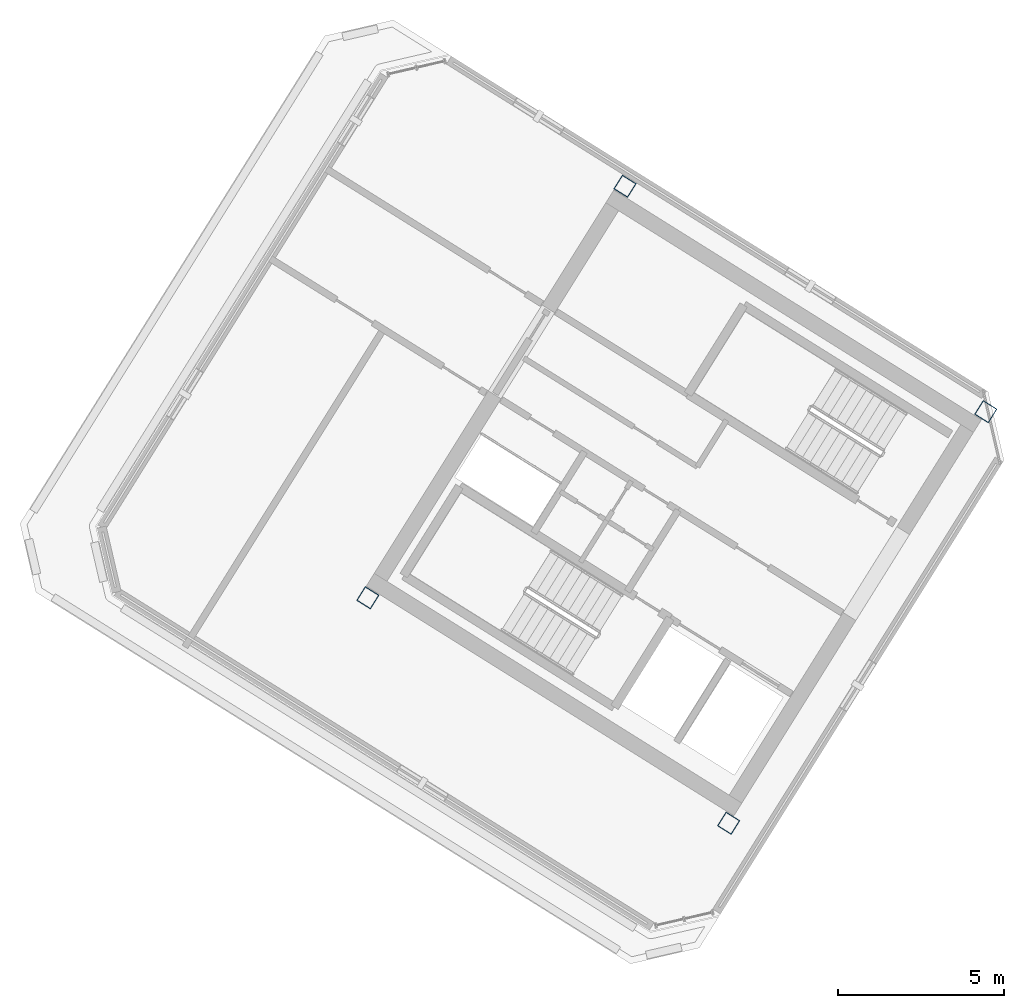
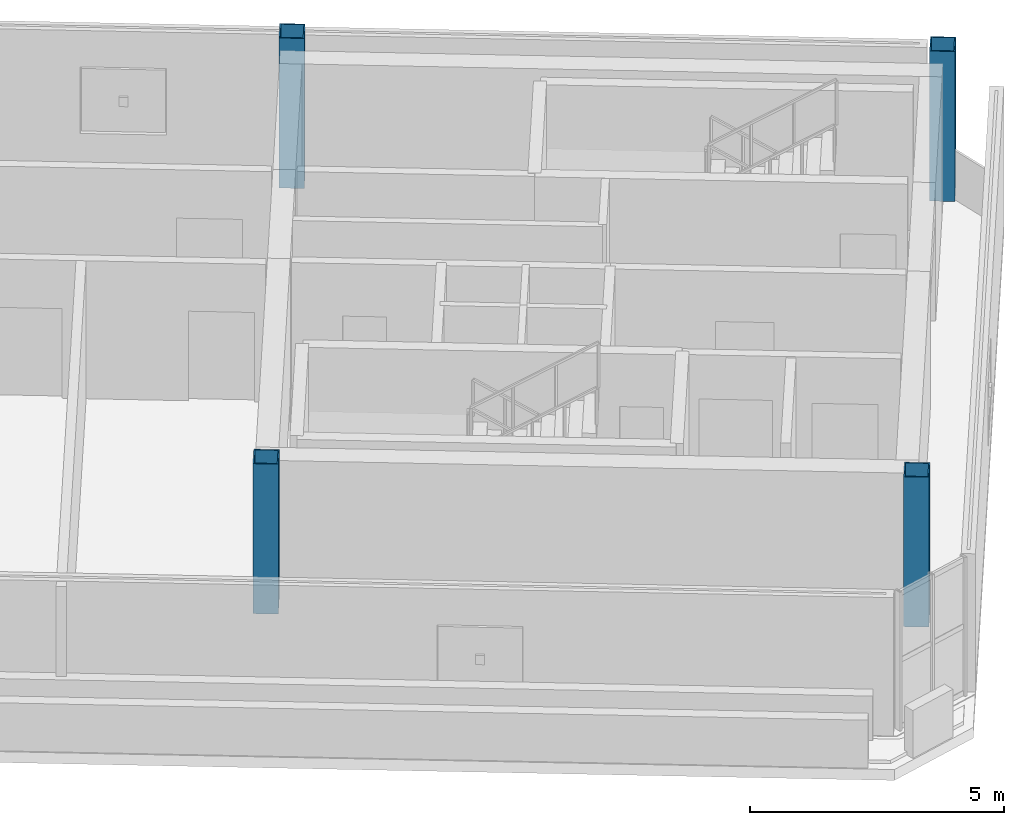
# One storey, part 1 of 9: 4 columns.
"""IFC4 building model written with IfcOpenShell, lengths in metres."""

import ifcopenshell
import ifcopenshell.guid

model = None  # the IFC model being written
_history = None  # IfcOwnerHistory: only IFC2X3 demands one
_inside = {}  # id of a spatial element -> (the spatial element, [elements in it])
_under = {}  # id of a project, library or spatial element -> (it, [spatial elements below it])
_declared = {}  # id of a project -> (the project, [libraries it declares])
_typed = {}  # id of a type object -> (the type object, [elements of that type])
_made_of = {}  # id of a material, layer set ... -> (it, [elements and type objects made of it])


def new_model(schema):
    """Start an empty IFC model of exactly this schema.

    Asked for "IFC4X3", IfcOpenShell would pick the latest addendum, in which some entities
    have other attributes; the version numbers below select the first issue.
    IFC2X3 requires an IfcOwnerHistory on every rooted entity: one is made here for all.
    """
    global model, _history
    if schema == "IFC4X3":
        model = ifcopenshell.file(schema_version=(4, 3, 0, 0))
    else:
        model = ifcopenshell.file(schema=schema)
    _inside.clear()
    _under.clear()
    _declared.clear()
    _typed.clear()
    _made_of.clear()
    _history = None
    if model.schema == "IFC2X3":
        org = make("IfcOrganization", Name="unknown")
        user = make(
            "IfcPersonAndOrganization",
            ThePerson=make("IfcPerson", FamilyName="unknown"),
            TheOrganization=org,
        )
        app = make(
            "IfcApplication",
            ApplicationDeveloper=org,
            Version="unknown",
            ApplicationFullName="unknown",
            ApplicationIdentifier="unknown",
        )
        _history = make(
            "IfcOwnerHistory",
            OwningUser=user,
            OwningApplication=app,
            ChangeAction="ADDED",
            CreationDate=0,
        )
    return model


def make(cls, **values):
    """One entity of the class cls with the attributes given. An attribute that is None is left unset."""
    return model.create_entity(
        cls, **{name: value for name, value in values.items() if value is not None}
    )


def rooted(cls, **values):
    """An entity with a GlobalId (a new one), such as an element, a storey or a relation."""
    return make(cls, GlobalId=ifcopenshell.guid.new(), OwnerHistory=_history, **values)


def si_unit(unit_type, name, prefix=None):
    """IfcSIUnit, for example si_unit("LENGTHUNIT", "METRE", prefix="MILLI")."""
    return make("IfcSIUnit", UnitType=unit_type, Prefix=prefix, Name=name)


def assignment(units):
    """IfcUnitAssignment: the units of a project."""
    return None if units is None else make("IfcUnitAssignment", Units=units)


def point(xyz):
    """IfcCartesianPoint."""
    return None if xyz is None else make("IfcCartesianPoint", Coordinates=xyz)


def direction(xyz):
    """IfcDirection."""
    return None if xyz is None else make("IfcDirection", DirectionRatios=xyz)


def frame(location, z_axis=None, x_axis=None):
    """IfcAxis2Placement3D, a coordinate frame: its origin and axes. An axis left out is left unset."""
    return make(
        "IfcAxis2Placement3D",
        Location=point(location),
        Axis=direction(z_axis),
        RefDirection=direction(x_axis),
    )


def frame_2d(location, x_axis=None):
    """IfcAxis2Placement2D, a coordinate frame in the plane: its origin and x axis."""
    return make(
        "IfcAxis2Placement2D", Location=point(location), RefDirection=direction(x_axis)
    )


def origin():
    """The frame at (0, 0, 0) with its axes left unset."""
    return frame((0.0, 0.0, 0.0))


def origin_2d():
    """The frame at (0, 0) in the plane with its x axis left unset."""
    return frame_2d((0.0, 0.0))


def place(relative_to, where):
    """IfcLocalPlacement: puts the frame where relative to a parent placement (None: the world)."""
    return make(
        "IfcLocalPlacement", PlacementRelTo=relative_to, RelativePlacement=where
    )


def context(
    kind, dimensions, precision=None, world=None, true_north=None, identifier=None
):
    """IfcGeometricRepresentationContext, for example the 3D "Model" context."""
    return make(
        "IfcGeometricRepresentationContext",
        ContextIdentifier=identifier,
        ContextType=kind,
        CoordinateSpaceDimension=dimensions,
        Precision=precision,
        WorldCoordinateSystem=world,
        TrueNorth=true_north,
    )


def subcontext(parent, identifier, kind, view, scale=None):
    """IfcGeometricRepresentationSubContext, for example "Body" below "Model"."""
    return make(
        "IfcGeometricRepresentationSubContext",
        ContextIdentifier=identifier,
        ContextType=kind,
        ParentContext=parent,
        TargetScale=scale,
        TargetView=view,
    )


def project(units=None, contexts=None):
    """IfcProject with its units and contexts."""
    return rooted(
        "IfcProject",
        Name="project",
        RepresentationContexts=contexts,
        UnitsInContext=assignment(units),
    )


def spatial(cls, under=None, at=None, **own):
    """A site, building, storey or space (cls), placed at a placement, below another one or the project."""
    s = rooted(cls, ObjectPlacement=at, **own)
    if under is not None:
        _under.setdefault(under.id(), (under, []))[1].append(s)
    return s


def profile(cls, at=None, kind="AREA", **sizes):
    """A parametric profile (cls). Its sizes go by their IFC names, for example OverallWidth=200.0."""
    return make(cls, ProfileType=kind, Position=at, **sizes)


def hollow_rectangle(**sizes):
    """IfcRectangleHollowProfileDef."""
    return profile("IfcRectangleHollowProfileDef", **sizes)


def extrude(swept, where, along, depth):
    """IfcExtrudedAreaSolid: the profile swept, set in the frame where, extruded along a direction by depth."""
    return make(
        "IfcExtrudedAreaSolid",
        SweptArea=swept,
        Position=where,
        ExtrudedDirection=direction(along),
        Depth=depth,
    )


def shape(context_of_items, identifier, shape_type, items):
    """IfcShapeRepresentation: the items that make up one representation, for example the "Body"."""
    return make(
        "IfcShapeRepresentation",
        ContextOfItems=context_of_items,
        RepresentationIdentifier=identifier,
        RepresentationType=shape_type,
        Items=items,
    )


def source(mapping_origin, context_of_items, identifier, shape_type, items):
    """IfcRepresentationMap: a shape defined once, which mapped items show again and again."""
    return make(
        "IfcRepresentationMap",
        MappingOrigin=mapping_origin,
        MappedRepresentation=shape(context_of_items, identifier, shape_type, items),
    )


def transform(
    local_origin,
    x_axis=None,
    y_axis=None,
    z_axis=None,
    scale=None,
    scale2=None,
    scale3=None,
    uniform=True,
):
    """IfcCartesianTransformationOperator3D, or its non-uniform kind. x_axis, y_axis, z_axis: its Axis1, 2, 3."""
    if uniform:
        return make(
            "IfcCartesianTransformationOperator3D",
            Axis1=direction(x_axis),
            Axis2=direction(y_axis),
            LocalOrigin=point(local_origin),
            Scale=scale,
            Axis3=direction(z_axis),
        )
    return make(
        "IfcCartesianTransformationOperator3DnonUniform",
        Axis1=direction(x_axis),
        Axis2=direction(y_axis),
        LocalOrigin=point(local_origin),
        Scale=scale,
        Axis3=direction(z_axis),
        Scale2=scale2,
        Scale3=scale3,
    )


def mapped(mapping_source, mapping_target):
    """IfcMappedItem: shows the shape of a source again, moved by a transform."""
    return make(
        "IfcMappedItem", MappingSource=mapping_source, MappingTarget=mapping_target
    )


def material(Name=None, Category=None):
    """IfcMaterial."""
    return make("IfcMaterial", Name=Name, Category=Category)


def material_profile(
    of_material, cross_section, Name=None, Category=None, Priority=None
):
    """IfcMaterialProfile: a cross section and its material."""
    return make(
        "IfcMaterialProfile",
        Name=Name,
        Material=of_material,
        Profile=cross_section,
        Priority=Priority,
        Category=Category,
    )


def profile_set(profiles, Name=None, composite=None):
    """IfcMaterialProfileSet."""
    return make(
        "IfcMaterialProfileSet",
        Name=Name,
        MaterialProfiles=profiles,
        CompositeProfile=composite,
    )


def made_of(thing, what):
    """Note that an element or type object is made of a material, layer set ...; save() writes the relation."""
    if what is not None:
        _made_of.setdefault(what.id(), (what, []))[1].append(thing)
    return thing


def type_object(cls, material=None, **own):
    """A type object (cls), such as IfcWallType, which elements share."""
    return made_of(rooted(cls, **own), material)


def element(
    cls,
    number,
    at=None,
    inside=None,
    cuts=None,
    type_object=None,
    material=None,
    context=None,
    identifier="Body",
    shape_type=None,
    held_by="IfcProductDefinitionShape",
    body=None,
    shapes=None,
    **own,
):
    """One element of the class cls, such as IfcWall. Its Tag is "e" and its number.

    at: its placement. inside: the storey or other place that contains it. cuts: it is an
    opening in that element (IfcRelVoidsElement). A single representation is given by context,
    identifier, shape_type and body (its items); several are given by shapes. held_by: the class
    of the entity that holds the representations. save() writes the other relations.
    """
    e = rooted(cls, Tag="e%d" % number, ObjectPlacement=at, **own)
    if body is not None:
        shapes = [shape(context, identifier, shape_type, body)]
    if shapes is not None:
        e.Representation = make(held_by, Representations=shapes)
    if inside is not None:
        _inside.setdefault(inside.id(), (inside, []))[1].append(e)
    if cuts is not None:
        rooted(
            "IfcRelVoidsElement", RelatingBuildingElement=cuts, RelatedOpeningElement=e
        )
    if type_object is not None:
        _typed.setdefault(type_object.id(), (type_object, []))[1].append(e)
    return made_of(e, material)


def aggregate(whole, parts):
    """IfcRelAggregates: a whole, such as a stair, and the parts it consists of."""
    return rooted("IfcRelAggregates", RelatingObject=whole, RelatedObjects=parts)


def save(model, path):
    """Write the relations noted so far, then the file.

    IfcRelAggregates (storeys below a building ...), IfcRelContainedInSpatialStructure (elements
    in a storey), IfcRelDefinesByType, IfcRelAssociatesMaterial and IfcRelDeclares: one each for
    every whole, place, type object, material and project.
    """
    for whole, parts in _under.values():
        aggregate(whole, parts)
    for where, things in _inside.values():
        rooted(
            "IfcRelContainedInSpatialStructure",
            RelatedElements=things,
            RelatingStructure=where,
        )
    for kind, things in _typed.values():
        rooted("IfcRelDefinesByType", RelatedObjects=things, RelatingType=kind)
    for what, things in _made_of.values():
        rooted("IfcRelAssociatesMaterial", RelatedObjects=things, RelatingMaterial=what)
    for by, libraries in _declared.values():
        rooted("IfcRelDeclares", RelatingContext=by, RelatedDefinitions=libraries)
    model.write(path)


model = new_model("IFC4")

# Units and contexts
model_context = context("Model", 3, precision=1e-05, world=origin(), true_north=direction((0.0, 1.0)))
body_context = subcontext(model_context, "Body", "Model", "MODEL_VIEW")
ifc_project = project(units=[si_unit("LENGTHUNIT", "METRE"), si_unit("AREAUNIT", "SQUARE_METRE"), si_unit("VOLUMEUNIT", "CUBIC_METRE"), si_unit("PLANEANGLEUNIT", "RADIAN"), si_unit("MASSUNIT", "GRAM", prefix="KILO")], contexts=[model_context])

# Site, building, storey
site_placement = place(None, origin())
site = spatial("IfcSite", under=ifc_project, at=site_placement, CompositionType="ELEMENT")
building_placement = place(site_placement, origin())
building = spatial("IfcBuilding", under=site, at=building_placement, Name="Tlacorven Tower", CompositionType="ELEMENT")
storey_placement = place(building_placement, frame((0.0, 0.0, 306.0)))
storey = spatial("IfcBuildingStorey", under=building, at=storey_placement, Name="L78", CompositionType="ELEMENT", Elevation=306.0)

# Columns
ifc_material = material(Name="Steel S355J2", Category="steel")
ifc_material_profile = material_profile(ifc_material, hollow_rectangle(XDim=0.5, YDim=0.5, WallThickness=0.02490234375, at=origin_2d()), Name="BOX 500X500X25")
ifc_profile_set = profile_set([ifc_material_profile], Name="Steel S355J2")
column_type = type_object("IfcColumnType", Name="COL-CRN-01", PredefinedType="COLUMN", material=ifc_profile_set)
shared_shape = source(origin(), body_context, "Body", "SweptSolid", [
    extrude(hollow_rectangle(XDim=0.5, YDim=0.5, WallThickness=0.02490234375, at=origin_2d()), origin(), (0.0, 0.0, 1.0), 3.60009765625),
])
for number, where, z_axis, x_axis, name in (
    (1, (40.782958984375, 24.468505859375, 0.0), (0.0, 0.0, 1.0), (-0.848048096156, 0.529919264233, 0.0), "L78 column COL-L78-CR11"),
    (2, (33.046142578125, 12.0869140625, 0.0), (0.0, 0.0, 1.0), (-0.848048096156, 0.529919264233, 0.0), "L78 column COL-L78-CR12"),
    (3, (29.927978515625, 31.25146484375, 0.0), (0.0, 0.0, 1.0), (-0.848048096156, 0.529919264233, 0.0), "L78 column COL-L78-CR21"),
    (4, (22.191162109375, 18.869873046875, 0.0), (0.0, 0.0, 1.0), (-0.848048096156, 0.529919264233, 0.0), "L78 column COL-L78-CR22"),
):
    element("IfcColumn", number, at=place(storey_placement, frame(where, z_axis=z_axis, x_axis=x_axis)), inside=storey, type_object=column_type, Name=name, PredefinedType="COLUMN", context=body_context, shape_type="MappedRepresentation", body=[
        mapped(shared_shape, transform((0.0, 0.0, 0.0), scale=1.0)),
    ])

save(model, "model.ifc")
